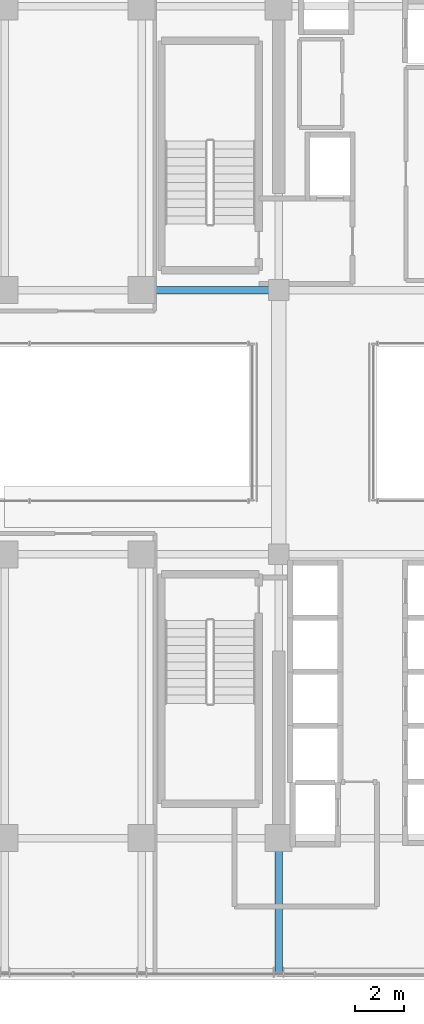
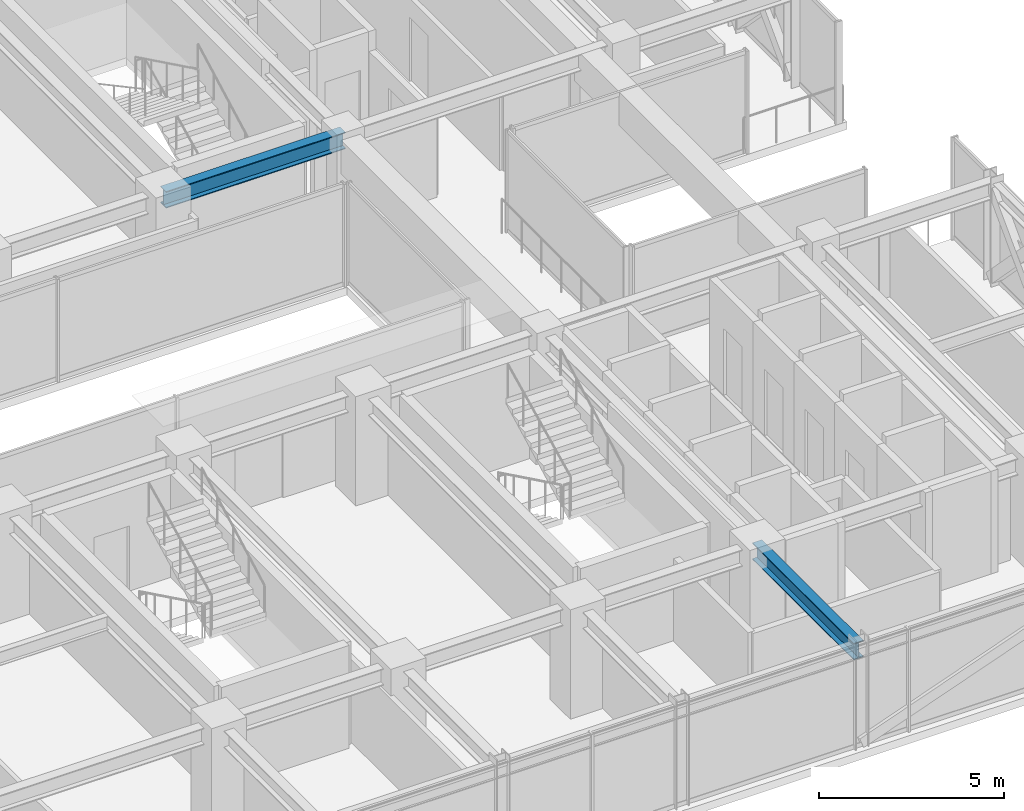
# One storey, part 13 of 43: 2 beams.
"""IFC4 building model written with IfcOpenShell, lengths in metres."""

from ifc_helpers import new_model, si_unit, direction, frame, origin, origin_2d, place, context, subcontext, project, spatial, i_section, extrude, source, transform, mapped, material, material_profile, profile_set, type_object, element, save


model = new_model("IFC4")

# Units and contexts
model_context = context("Model", 3, precision=1e-05, world=origin(), true_north=direction((0.0, 1.0)))
body_context = subcontext(model_context, "Body", "Model", "MODEL_VIEW")
ifc_project = project(units=[si_unit("LENGTHUNIT", "METRE"), si_unit("AREAUNIT", "SQUARE_METRE"), si_unit("VOLUMEUNIT", "CUBIC_METRE"), si_unit("PLANEANGLEUNIT", "RADIAN"), si_unit("MASSUNIT", "GRAM", prefix="KILO")], contexts=[model_context])

# Site, building, storey
site_placement = place(None, origin())
site = spatial("IfcSite", under=ifc_project, at=site_placement, CompositionType="ELEMENT")
building_placement = place(site_placement, origin())
building = spatial("IfcBuilding", under=site, at=building_placement, Name="Nahalor Promenade Grand Hotel", CompositionType="ELEMENT")
storey_placement = place(building_placement, frame((0.0, 0.0, 181.85009765625)))
storey = spatial("IfcBuildingStorey", under=building, at=storey_placement, Name="L46", CompositionType="ELEMENT", Elevation=181.85009765625)

# Beams
ifc_material = material(Name="Steel S355JR", Category="steel")
ifc_material_profile = material_profile(ifc_material, i_section(OverallWidth=0.3, OverallDepth=0.55, WebThickness=0.015, FlangeThickness=0.029, at=origin_2d()), Name="HEB 550")
ifc_profile_set = profile_set([ifc_material_profile], Name="Steel S355JR")
beam_type = type_object("IfcBeamType", Name="Beam-Girder-HEB550", PredefinedType="BEAM", material=ifc_profile_set)
shared_shape_1 = source(origin(), body_context, "Body", "SweptSolid", [
    extrude(i_section(OverallWidth=0.3, OverallDepth=0.55, WebThickness=0.015, FlangeThickness=0.029, at=origin_2d()), origin(), (0.0, 0.0, 1.0), 5.599853515625),
])
beam_1_placement = place(storey_placement, frame((2.800048828125, 5.39990234375, 3.114990234375), z_axis=(1.0, 0.0, 0.0), x_axis=(0.0, 1.0, 0.0)))
element("IfcBeam", 1, at=beam_1_placement, inside=storey, type_object=beam_type, Name="BM-L46-GX-2-4", PredefinedType="BEAM", context=body_context, shape_type="MappedRepresentation", body=[
    mapped(shared_shape_1, transform((0.0, 0.0, 0.0), scale=1.0)),
])
shared_shape_2 = source(origin(), body_context, "Body", "SweptSolid", [
    extrude(i_section(OverallWidth=0.3, OverallDepth=0.55, WebThickness=0.015, FlangeThickness=0.029, at=origin_2d()), origin(), (0.0, 0.0, 1.0), 5.47998046875),
])
beam_2_placement = place(storey_placement, frame((8.39990234375, -22.47998046875, 3.114990234375), z_axis=(0.0, 1.0, 0.0), x_axis=(-1.0, 0.0, 0.0)))
element("IfcBeam", 2, at=beam_2_placement, inside=storey, type_object=beam_type, Name="BM-L46-GY-4-0", PredefinedType="BEAM", context=body_context, shape_type="MappedRepresentation", body=[
    mapped(shared_shape_2, transform((0.0, 0.0, 0.0), scale=1.0)),
])

save(model, "model.ifc")
